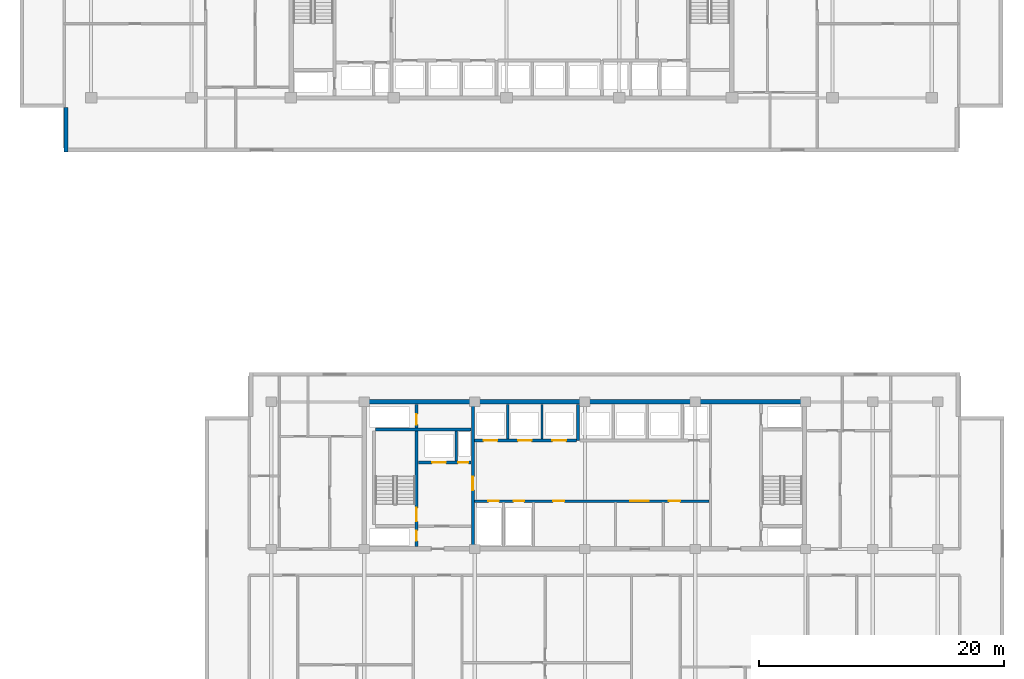
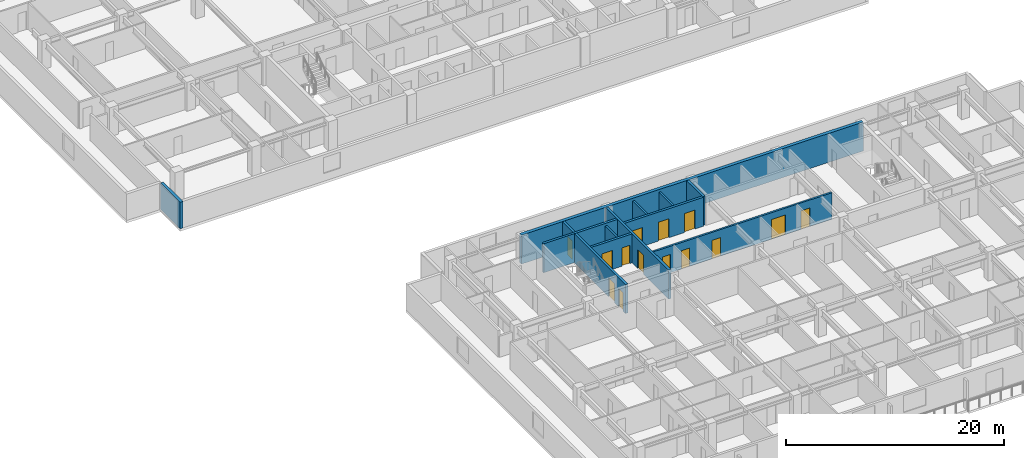
# One storey, part 7 of 22: 14 doors, 12 walls, 14 openings.
"""IFC4 building model written with IfcOpenShell, lengths in metres."""

from ifc_helpers import new_model, si_unit, direction, frame, frame_2d, origin, place, context, subcontext, project, spatial, rectangle, extrude, material, layer, layer_set, type_object, element, fill, save


model = new_model("IFC4")

# Units and contexts
model_context = context("Model", 3, precision=1e-05, world=origin(), true_north=direction((0.0, 1.0)))
body_context = subcontext(model_context, "Body", "Model", "MODEL_VIEW")
ifc_project = project(units=[si_unit("LENGTHUNIT", "METRE"), si_unit("AREAUNIT", "SQUARE_METRE"), si_unit("VOLUMEUNIT", "CUBIC_METRE"), si_unit("PLANEANGLEUNIT", "RADIAN"), si_unit("MASSUNIT", "GRAM", prefix="KILO")], contexts=[model_context])

# Site, building, storey
site_placement = place(None, origin())
site = spatial("IfcSite", under=ifc_project, at=site_placement, CompositionType="ELEMENT")
building_placement = place(site_placement, origin())
building = spatial("IfcBuilding", under=site, at=building_placement, Name="Korimba Cascade Residences", CompositionType="ELEMENT")
storey_placement = place(building_placement, frame((0.0, 0.0, 84.050048828125)))
storey = spatial("IfcBuildingStorey", under=building, at=storey_placement, Name="L23", CompositionType="ELEMENT", Elevation=84.050048828125)

# Walls
ifc_material_1 = material(Name="Precast concrete C40/50", Category="concrete")
ifc_layer_1 = layer(ifc_material_1, 0.300048828125)
ifc_layer_set_1 = layer_set([ifc_layer_1], Name="Precast concrete C40/50")
wall_type_1 = type_object("IfcWallType", Name="EW-STONE-300", PredefinedType="STANDARD", material=ifc_layer_set_1)
wall_1_placement = place(storey_placement, frame((57.75, 54.39990234375, 0.0), z_axis=(0.0, 0.0, 1.0), x_axis=(0.0, -1.0, 0.0)))
element("IfcWall", 1, at=wall_1_placement, inside=storey, type_object=wall_type_1, Name="L23 T1 Perimeter Stone Wall E11", PredefinedType="STANDARD", context=body_context, shape_type="SweptSolid", body=[
    extrude(rectangle(XDim=3.599853515625, YDim=0.300048828125, at=frame_2d((1.7998046875, 0.0))), origin(), (0.0, 0.0, 1.0), 2.969970703125),
])
ifc_material_2 = material(Name="Concrete C65/80", Category="concrete")
ifc_layer_2 = layer(ifc_material_2, 0.35009765625)
ifc_layer_set_2 = layer_set([ifc_layer_2], Name="Concrete C65/80")
wall_type_2 = type_object("IfcWallType", Name="WAL-CORE-350", PredefinedType="SHEAR", material=ifc_layer_set_2)
wall_2_placement = place(storey_placement, frame((81.925048828125, 30.39990234375, 0.0), z_axis=(0.0, 0.0, 1.0), x_axis=(1.0, 0.0, 0.0)))
element("IfcWall", 2, at=wall_2_placement, inside=storey, type_object=wall_type_2, Name="L23 Core Shear Wall CW-L23-T2-N", PredefinedType="SHEAR", context=body_context, shape_type="SweptSolid", body=[
    extrude(rectangle(XDim=36.264892578125, YDim=0.35009765625, at=frame_2d((18.13232421875, 0.0))), origin(), (0.0, 0.0, 1.0), 3.25),
])
ifc_material_3 = material(Name="Concrete C40/50", Category="concrete")
ifc_layer_3 = layer(ifc_material_3, 0.199951171875)
ifc_layer_set_3 = layer_set([ifc_layer_3], Name="Concrete C40/50")
wall_type_3 = type_object("IfcWallType", Name="WAL-PART-200", PredefinedType="PARTITIONING", material=ifc_layer_set_3)
wall_3_placement = place(storey_placement, frame((89.60009765625, 25.580078125, 0.0), z_axis=(0.0, 0.0, 1.0), x_axis=(0.0, 1.0, 0.0)))
element("IfcWall", 3, at=wall_3_placement, inside=storey, type_object=wall_type_3, Name="L23 Partition Wall CW-L23-T2-FFLDIV", PredefinedType="PARTITIONING", context=body_context, shape_type="SweptSolid", body=[
    extrude(rectangle(XDim=2.419921875, YDim=0.199951171875, at=frame_2d((1.2099609375, 0.0))), origin(), (0.0, 0.0, 1.0), 2.969970703125),
])
for number, where, z_axis, x_axis, name in (
    (4, (93.800048828125, 27.3798828125, 0.0), (0.0, 0.0, 1.0), (0.0, 1.0, 0.0), "L23 Partition Wall CW-L23-T2-B1D1"),
    (5, (96.60009765625, 27.3798828125, 0.0), (0.0, 0.0, 1.0), (0.0, 1.0, 0.0), "L23 Partition Wall CW-L23-T2-B1D2"),
):
    element("IfcWall", number, at=place(storey_placement, frame(where, z_axis=z_axis, x_axis=x_axis)), inside=storey, type_object=wall_type_3, Name=name, PredefinedType="PARTITIONING", context=body_context, shape_type="SweptSolid", body=[
        extrude(rectangle(XDim=2.820068359375, YDim=0.199951171875, at=frame_2d((1.41015625, 0.0))), origin(), (0.0, 0.0, 1.0), 2.969970703125),
    ])

# Wall, openings, doors
wall_4_placement = place(storey_placement, frame((91.080078125, 22.300048828125, 0.0), z_axis=(0.0, 0.0, 1.0), x_axis=(1.0, 0.0, 0.0)))
wall_4 = element("IfcWall", 6, at=wall_4_placement, inside=storey, type_object=wall_type_3, Name="L23 Partition Wall CW-L23-T2-SRVROW", PredefinedType="PARTITIONING", context=body_context, shape_type="SweptSolid", body=[
    extrude(rectangle(XDim=19.139892578125, YDim=0.199951171875, at=frame_2d((9.56982421875, 0.0))), origin(), (0.0, 0.0, 1.0), 2.969970703125),
])
opening_1_placement = place(wall_4_placement, frame((1.14990234375, 0.0, 0.0)))
opening_1 = element("IfcOpeningElement", 7, at=opening_1_placement, cuts=wall_4, Name="Opening D-RS1", PredefinedType="OPENING", context=body_context, shape_type="SweptSolid", body=[
    extrude(rectangle(XDim=0.85009765625, YDim=2.050048828125, at=frame_2d((0.425048828125, 1.02490234375))), frame((0.0, 0.10986328125, 0.0), z_axis=(0.0, -1.0, 0.0), x_axis=(1.0, 0.0, 0.0)), (0.0, 0.0, 1.0), 0.219970703125),
])
opening_2_placement = place(wall_4_placement, frame((3.199951171875, 0.0, 0.0)))
opening_2 = element("IfcOpeningElement", 8, at=opening_2_placement, cuts=wall_4, Name="Opening D-RS1", PredefinedType="OPENING", context=body_context, shape_type="SweptSolid", body=[
    extrude(rectangle(XDim=0.85009765625, YDim=2.050048828125, at=frame_2d((0.425048828125, 1.02490234375))), frame((0.0, 0.10986328125, 0.0), z_axis=(0.0, -1.0, 0.0), x_axis=(1.0, 0.0, 0.0)), (0.0, 0.0, 1.0), 0.219970703125),
])
opening_3_placement = place(wall_4_placement, frame((12.719970703125, 0.0, 0.0)))
opening_3 = element("IfcOpeningElement", 9, at=opening_3_placement, cuts=wall_4, Name="Opening D-FD8", PredefinedType="OPENING", context=body_context, shape_type="SweptSolid", body=[
    extrude(rectangle(XDim=1.5, YDim=2.199951171875, at=frame_2d((0.75, 1.10009765625))), frame((0.0, 0.10986328125, 0.0), z_axis=(0.0, -1.0, 0.0), x_axis=(1.0, 0.0, 0.0)), (0.0, 0.0, 1.0), 0.219970703125),
])
opening_4_placement = place(wall_4_placement, frame((6.419921875, 0.0, 0.0)))
opening_4 = element("IfcOpeningElement", 10, at=opening_4_placement, cuts=wall_4, Name="Opening D-IN1", PredefinedType="OPENING", context=body_context, shape_type="SweptSolid", body=[
    extrude(rectangle(XDim=0.919921875, YDim=2.080078125, at=frame_2d((0.4599609375, 1.0400390625))), frame((0.0, 0.10986328125, 0.0), z_axis=(0.0, -1.0, 0.0), x_axis=(1.0, 0.0, 0.0)), (0.0, 0.0, 1.0), 0.219970703125),
])
opening_5_placement = place(wall_4_placement, frame((15.8701171875, 0.0, 0.0)))
opening_5 = element("IfcOpeningElement", 11, at=opening_5_placement, cuts=wall_4, Name="Opening D-IN1", PredefinedType="OPENING", context=body_context, shape_type="SweptSolid", body=[
    extrude(rectangle(XDim=0.919921875, YDim=2.080078125, at=frame_2d((0.4599609375, 1.0400390625))), frame((0.0, 0.10986328125, 0.0), z_axis=(0.0, -1.0, 0.0), x_axis=(1.0, 0.0, 0.0)), (0.0, 0.0, 1.0), 0.219970703125),
])
ifc_material_4 = material(Name="Fire-Rated Steel Riser Access Door", Category="steel")
door_type_1 = type_object("IfcDoorType", Name="DR-FD60-850", OperationType="NOTDEFINED", PredefinedType="DOOR", material=ifc_material_4)
door_1_placement = place(opening_1_placement, origin())
door_1 = element("IfcDoor", 12, at=door_1_placement, inside=storey, type_object=door_type_1, Name="L23 T2 Electrical Riser Door", OperationType="SINGLE_SWING_RIGHT", OverallHeight=2.050048828125, OverallWidth=0.85009765625, PredefinedType="DOOR", context=body_context, shape_type="SweptSolid", body=[
    extrude(rectangle(XDim=0.85009765625, YDim=2.050048828125, at=frame_2d((0.425048828125, 1.02490234375))), frame((0.0, 0.02490234375, 0.0), z_axis=(0.0, -1.0, 0.0), x_axis=(1.0, 0.0, 0.0)), (0.0, 0.0, 1.0), 0.050048828125),
])
fill(opening_1, door_1)
door_2_placement = place(opening_2_placement, origin())
door_2 = element("IfcDoor", 13, at=door_2_placement, inside=storey, type_object=door_type_1, Name="L23 T2 Plumbing Riser Door", OperationType="SINGLE_SWING_LEFT", OverallHeight=2.050048828125, OverallWidth=0.85009765625, PredefinedType="DOOR", context=body_context, shape_type="SweptSolid", body=[
    extrude(rectangle(XDim=0.85009765625, YDim=2.050048828125, at=frame_2d((0.425048828125, 1.02490234375))), frame((0.0, 0.02490234375, 0.0), z_axis=(0.0, -1.0, 0.0), x_axis=(1.0, 0.0, 0.0)), (0.0, 0.0, 1.0), 0.050048828125),
])
fill(opening_2, door_2)
ifc_material_5 = material(Name="Fire-Rated Glazed Lift Lobby Double Door", Category="glass")
door_type_2 = type_object("IfcDoorType", Name="DR-FD90-1500", OperationType="NOTDEFINED", PredefinedType="DOOR", material=ifc_material_5)
door_3_placement = place(opening_3_placement, origin())
door_3 = element("IfcDoor", 14, at=door_3_placement, inside=storey, type_object=door_type_2, Name="L23 T2 Lift Lobby Foyer Door", OperationType="DOUBLE_DOOR_SINGLE_SWING", OverallHeight=2.199951171875, OverallWidth=1.5, PredefinedType="DOOR", context=body_context, shape_type="SweptSolid", body=[
    extrude(rectangle(XDim=1.5, YDim=2.199951171875, at=frame_2d((0.75, 1.10009765625))), frame((0.0, 0.02490234375, 0.0), z_axis=(0.0, -1.0, 0.0), x_axis=(1.0, 0.0, 0.0)), (0.0, 0.0, 1.0), 0.050048828125),
])
fill(opening_3, door_3)
ifc_material_6 = material(Name="Acoustic Timber Living Door", Category="wood")
door_type_3 = type_object("IfcDoorType", Name="DR-INT-920", OperationType="NOTDEFINED", PredefinedType="DOOR", material=ifc_material_6)
door_4_placement = place(opening_4_placement, origin())
door_4 = element("IfcDoor", 15, at=door_4_placement, inside=storey, type_object=door_type_3, Name="L23 T2 Housekeeping Door", OperationType="SINGLE_SWING_RIGHT", OverallHeight=2.080078125, OverallWidth=0.919921875, PredefinedType="DOOR", context=body_context, shape_type="SweptSolid", body=[
    extrude(rectangle(XDim=0.919921875, YDim=2.080078125, at=frame_2d((0.4599609375, 1.0400390625))), frame((0.0, 0.02490234375, 0.0), z_axis=(0.0, -1.0, 0.0), x_axis=(1.0, 0.0, 0.0)), (0.0, 0.0, 1.0), 0.050048828125),
])
fill(opening_4, door_4)
door_5_placement = place(opening_5_placement, origin())
door_5 = element("IfcDoor", 16, at=door_5_placement, inside=storey, type_object=door_type_3, Name="L23 T2 Store Door", OperationType="SINGLE_SWING_LEFT", OverallHeight=2.080078125, OverallWidth=0.919921875, PredefinedType="DOOR", context=body_context, shape_type="SweptSolid", body=[
    extrude(rectangle(XDim=0.919921875, YDim=2.080078125, at=frame_2d((0.4599609375, 1.0400390625))), frame((0.0, 0.02490234375, 0.0), z_axis=(0.0, -1.0, 0.0), x_axis=(1.0, 0.0, 0.0)), (0.0, 0.0, 1.0), 0.050048828125),
])
fill(opening_5, door_5)

ifc_material_7 = material(Name="Concrete C50/60", Category="concrete")
ifc_layer_4 = layer(ifc_material_7, 0.25)
ifc_layer_set_4 = layer_set([ifc_layer_4], Name="Concrete C50/60")
wall_type_4 = type_object("IfcWallType", Name="WAL-SHAFT-250", PredefinedType="SHEAR", material=ifc_layer_set_4)
wall_5_placement = place(storey_placement, frame((86.364990234375, 18.60009765625, 0.0), z_axis=(0.0, 0.0, 1.0), x_axis=(0.0, 1.0, 0.0)))
wall_5 = element("IfcWall", 17, at=wall_5_placement, inside=storey, type_object=wall_type_4, Name="L23 Core Shear Wall CW-L23-T2-STE1E", PredefinedType="SHEAR", context=body_context, shape_type="SweptSolid", body=[
    extrude(rectangle(XDim=11.599853515625, YDim=0.25, at=frame_2d((5.7998046875, 0.0))), origin(), (0.0, 0.0, 1.0), 3.25),
])
opening_6_placement = place(wall_5_placement, frame((0.449951171875, 0.0, 0.0)))
opening_6 = element("IfcOpeningElement", 18, at=opening_6_placement, cuts=wall_5, Name="Opening D-RS1", PredefinedType="OPENING", context=body_context, shape_type="SweptSolid", body=[
    extrude(rectangle(XDim=0.85009765625, YDim=2.050048828125, at=frame_2d((0.425048828125, 1.02490234375))), frame((0.0, 0.135009765625, 0.0), z_axis=(0.0, -1.0, 0.0), x_axis=(1.0, 0.0, 0.0)), (0.0, 0.0, 1.0), 0.27001953125),
])
opening_7_placement = place(wall_5_placement, frame((2.050048828125, 0.0, 0.0)))
opening_7 = element("IfcOpeningElement", 19, at=opening_7_placement, cuts=wall_5, Name="Opening D-FD1", PredefinedType="OPENING", context=body_context, shape_type="SweptSolid", body=[
    extrude(rectangle(XDim=1.10009765625, YDim=2.10009765625, at=frame_2d((0.550048828125, 1.050048828125))), frame((0.0, 0.135009765625, 0.0), z_axis=(0.0, -1.0, 0.0), x_axis=(1.0, 0.0, 0.0)), (0.0, 0.0, 1.0), 0.27001953125),
])
opening_8_placement = place(wall_5_placement, frame((9.949951171875, 0.0, 0.0)))
opening_8 = element("IfcOpeningElement", 20, at=opening_8_placement, cuts=wall_5, Name="Opening D-RS1", PredefinedType="OPENING", context=body_context, shape_type="SweptSolid", body=[
    extrude(rectangle(XDim=0.85009765625, YDim=2.050048828125, at=frame_2d((0.425048828125, 1.02490234375))), frame((0.0, 0.135009765625, 0.0), z_axis=(0.0, -1.0, 0.0), x_axis=(1.0, 0.0, 0.0)), (0.0, 0.0, 1.0), 0.27001953125),
])
ifc_material_8 = material(Name="Fire-Rated Steel Core Door", Category="steel")
door_type_4 = type_object("IfcDoorType", Name="DR-FD120-1100", OperationType="NOTDEFINED", PredefinedType="DOOR", material=ifc_material_8)
door_6_placement = place(opening_7_placement, origin())
door_6 = element("IfcDoor", 21, at=door_6_placement, inside=storey, type_object=door_type_4, Name="L23 Fire Stair ST-E1 Door", OperationType="SINGLE_SWING_RIGHT", OverallHeight=2.10009765625, OverallWidth=1.10009765625, PredefinedType="DOOR", context=body_context, shape_type="SweptSolid", body=[
    extrude(rectangle(XDim=1.10009765625, YDim=2.10009765625, at=frame_2d((0.550048828125, 1.050048828125))), frame((0.0, 0.02490234375, 0.0), z_axis=(0.0, -1.0, 0.0), x_axis=(1.0, 0.0, 0.0)), (0.0, 0.0, 1.0), 0.050048828125),
])
fill(opening_7, door_6)
door_7_placement = place(opening_6_placement, origin())
door_7 = element("IfcDoor", 22, at=door_7_placement, inside=storey, type_object=door_type_1, Name="L23 T2 Hydrant Riser Door", OperationType="SINGLE_SWING_LEFT", OverallHeight=2.050048828125, OverallWidth=0.85009765625, PredefinedType="DOOR", context=body_context, shape_type="SweptSolid", body=[
    extrude(rectangle(XDim=0.85009765625, YDim=2.050048828125, at=frame_2d((0.425048828125, 1.02490234375))), frame((0.0, 0.02490234375, 0.0), z_axis=(0.0, -1.0, 0.0), x_axis=(1.0, 0.0, 0.0)), (0.0, 0.0, 1.0), 0.050048828125),
])
fill(opening_6, door_7)
door_8_placement = place(opening_8_placement, origin())
door_8 = element("IfcDoor", 23, at=door_8_placement, inside=storey, type_object=door_type_1, Name="L23 T2 Smoke Shaft Door", OperationType="SINGLE_SWING_LEFT", OverallHeight=2.050048828125, OverallWidth=0.85009765625, PredefinedType="DOOR", context=body_context, shape_type="SweptSolid", body=[
    extrude(rectangle(XDim=0.85009765625, YDim=2.050048828125, at=frame_2d((0.425048828125, 1.02490234375))), frame((0.0, 0.02490234375, 0.0), z_axis=(0.0, -1.0, 0.0), x_axis=(1.0, 0.0, 0.0)), (0.0, 0.0, 1.0), 0.050048828125),
])
fill(opening_8, door_8)

# Wall
wall_6_placement = place(storey_placement, frame((83.0, 28.125, 0.0), z_axis=(0.0, 0.0, 1.0), x_axis=(1.0, 0.0, 0.0)))
element("IfcWall", 24, at=wall_6_placement, inside=storey, type_object=wall_type_4, Name="L23 Core Shear Wall CW-L23-T2-STE1N", PredefinedType="SHEAR", context=body_context, shape_type="SweptSolid", body=[
    extrude(rectangle(XDim=7.820068359375, YDim=0.25, at=frame_2d((3.91015625, 0.0))), origin(), (0.0, 0.0, 1.0), 3.25),
])

# Wall, openings, doors
wall_7_placement = place(storey_placement, frame((86.5, 25.449951171875, 0.0), z_axis=(0.0, 0.0, 1.0), x_axis=(1.0, 0.0, 0.0)))
wall_7 = element("IfcWall", 25, at=wall_7_placement, inside=storey, type_object=wall_type_4, Name="L23 Core Shear Wall CW-L23-T2-FFLN", PredefinedType="SHEAR", context=body_context, shape_type="SweptSolid", body=[
    extrude(rectangle(XDim=4.320068359375, YDim=0.25, at=frame_2d((2.16015625, 0.0))), origin(), (0.0, 0.0, 1.0), 3.25),
])
opening_9_placement = place(wall_7_placement, frame((1.139892578125, 0.0, 0.0)))
opening_9 = element("IfcOpeningElement", 26, at=opening_9_placement, cuts=wall_7, Name="Opening LD-01", PredefinedType="OPENING", context=body_context, shape_type="SweptSolid", body=[
    extrude(rectangle(XDim=1.1201171875, YDim=2.1201171875, at=frame_2d((0.56005859375, 1.06005859375))), frame((0.0, 0.135009765625, 0.0), z_axis=(0.0, -1.0, 0.0), x_axis=(1.0, 0.0, 0.0)), (0.0, 0.0, 1.0), 0.27001953125),
])
opening_10_placement = place(wall_7_placement, frame((3.25, 0.0, 0.0)))
opening_10 = element("IfcOpeningElement", 27, at=opening_10_placement, cuts=wall_7, Name="Opening D-RS1", PredefinedType="OPENING", context=body_context, shape_type="SweptSolid", body=[
    extrude(rectangle(XDim=0.85009765625, YDim=2.050048828125, at=frame_2d((0.425048828125, 1.02490234375))), frame((0.0, 0.135009765625, 0.0), z_axis=(0.0, -1.0, 0.0), x_axis=(1.0, 0.0, 0.0)), (0.0, 0.0, 1.0), 0.27001953125),
])
door_9_placement = place(opening_10_placement, origin())
door_9 = element("IfcDoor", 28, at=door_9_placement, inside=storey, type_object=door_type_1, Name="L23 T2 Pressurisation Riser Door", OperationType="SINGLE_SWING_RIGHT", OverallHeight=2.050048828125, OverallWidth=0.85009765625, PredefinedType="DOOR", context=body_context, shape_type="SweptSolid", body=[
    extrude(rectangle(XDim=0.85009765625, YDim=2.050048828125, at=frame_2d((0.425048828125, 1.02490234375))), frame((0.0, 0.02490234375, 0.0), z_axis=(0.0, -1.0, 0.0), x_axis=(1.0, 0.0, 0.0)), (0.0, 0.0, 1.0), 0.050048828125),
])
fill(opening_10, door_9)
ifc_material_9 = material(Name="Stainless Steel Lift Landing Sliding Door", Category="steel")
door_type_5 = type_object("IfcDoorType", Name="DR-LIFT-1100", OperationType="NOTDEFINED", PredefinedType="DOOR", material=ifc_material_9)
door_10_placement = place(opening_9_placement, origin())
door_10 = element("IfcDoor", 29, at=door_10_placement, inside=storey, type_object=door_type_5, Name="L23 Firefighting Lift Landing Door FFL-E1", OperationType="SLIDING_TO_RIGHT", OverallHeight=2.1201171875, OverallWidth=1.1201171875, PredefinedType="DOOR", context=body_context, shape_type="SweptSolid", body=[
    extrude(rectangle(XDim=1.1201171875, YDim=2.1201171875, at=frame_2d((0.56005859375, 1.06005859375))), frame((0.0, 0.02490234375, 0.0), z_axis=(0.0, -1.0, 0.0), x_axis=(1.0, 0.0, 0.0)), (0.0, 0.0, 1.0), 0.050048828125),
])
fill(opening_9, door_10)

# Wall, opening, door
wall_8_placement = place(storey_placement, frame((90.949951171875, 18.60009765625, 0.0), z_axis=(0.0, 0.0, 1.0), x_axis=(0.0, 1.0, 0.0)))
wall_8 = element("IfcWall", 30, at=wall_8_placement, inside=storey, type_object=wall_type_4, Name="L23 Core Shear Wall CW-L23-T2-FFLE", PredefinedType="SHEAR", context=body_context, shape_type="SweptSolid", body=[
    extrude(rectangle(XDim=11.599853515625, YDim=0.25, at=frame_2d((5.7998046875, 0.0))), origin(), (0.0, 0.0, 1.0), 3.25),
])
opening_11_placement = place(wall_8_placement, frame((4.60009765625, 0.0, 0.0)))
opening_11 = element("IfcOpeningElement", 31, at=opening_11_placement, cuts=wall_8, Name="Opening D-FD1", PredefinedType="OPENING", context=body_context, shape_type="SweptSolid", body=[
    extrude(rectangle(XDim=1.10009765625, YDim=2.10009765625, at=frame_2d((0.550048828125, 1.050048828125))), frame((0.0, 0.135009765625, 0.0), z_axis=(0.0, -1.0, 0.0), x_axis=(1.0, 0.0, 0.0)), (0.0, 0.0, 1.0), 0.27001953125),
])
door_11_placement = place(opening_11_placement, origin())
door_11 = element("IfcDoor", 32, at=door_11_placement, inside=storey, type_object=door_type_4, Name="L23 T2 Firefighting Lobby to Lift Lobby Door", OperationType="SINGLE_SWING_RIGHT", OverallHeight=2.10009765625, OverallWidth=1.10009765625, PredefinedType="DOOR", context=body_context, shape_type="SweptSolid", body=[
    extrude(rectangle(XDim=1.10009765625, YDim=2.10009765625, at=frame_2d((0.550048828125, 1.050048828125))), frame((0.0, 0.02490234375, 0.0), z_axis=(0.0, -1.0, 0.0), x_axis=(1.0, 0.0, 0.0)), (0.0, 0.0, 1.0), 0.050048828125),
])
fill(opening_11, door_11)

# Wall, openings, doors
wall_9_placement = place(storey_placement, frame((91.080078125, 27.25, 0.0), z_axis=(0.0, 0.0, 1.0), x_axis=(1.0, 0.0, 0.0)))
wall_9 = element("IfcWall", 33, at=wall_9_placement, inside=storey, type_object=wall_type_4, Name="L23 Core Shear Wall CW-L23-T2-B1S", PredefinedType="SHEAR", context=body_context, shape_type="SweptSolid", body=[
    extrude(rectangle(XDim=8.33984375, YDim=0.25, at=frame_2d((4.169921875, 0.0))), origin(), (0.0, 0.0, 1.0), 3.25),
])
opening_12_placement = place(wall_9_placement, frame((0.760009765625, 0.0, 0.0)))
opening_12 = element("IfcOpeningElement", 34, at=opening_12_placement, cuts=wall_9, Name="Opening LD-01", PredefinedType="OPENING", context=body_context, shape_type="SweptSolid", body=[
    extrude(rectangle(XDim=1.1201171875, YDim=2.1201171875, at=frame_2d((0.56005859375, 1.06005859375))), frame((0.0, 0.135009765625, 0.0), z_axis=(0.0, -1.0, 0.0), x_axis=(1.0, 0.0, 0.0)), (0.0, 0.0, 1.0), 0.27001953125),
])
opening_13_placement = place(wall_9_placement, frame((3.56005859375, 0.0, 0.0)))
opening_13 = element("IfcOpeningElement", 35, at=opening_13_placement, cuts=wall_9, Name="Opening LD-01", PredefinedType="OPENING", context=body_context, shape_type="SweptSolid", body=[
    extrude(rectangle(XDim=1.1201171875, YDim=2.1201171875, at=frame_2d((0.56005859375, 1.06005859375))), frame((0.0, 0.135009765625, 0.0), z_axis=(0.0, -1.0, 0.0), x_axis=(1.0, 0.0, 0.0)), (0.0, 0.0, 1.0), 0.27001953125),
])
opening_14_placement = place(wall_9_placement, frame((6.360107421875, 0.0, 0.0)))
opening_14 = element("IfcOpeningElement", 36, at=opening_14_placement, cuts=wall_9, Name="Opening LD-01", PredefinedType="OPENING", context=body_context, shape_type="SweptSolid", body=[
    extrude(rectangle(XDim=1.1201171875, YDim=2.1201171875, at=frame_2d((0.56005859375, 1.06005859375))), frame((0.0, 0.135009765625, 0.0), z_axis=(0.0, -1.0, 0.0), x_axis=(1.0, 0.0, 0.0)), (0.0, 0.0, 1.0), 0.27001953125),
])
door_12_placement = place(opening_12_placement, origin())
door_12 = element("IfcDoor", 37, at=door_12_placement, inside=storey, type_object=door_type_5, Name="L23 Lift Landing Door PL-E1", OperationType="SLIDING_TO_LEFT", OverallHeight=2.1201171875, OverallWidth=1.1201171875, PredefinedType="DOOR", context=body_context, shape_type="SweptSolid", body=[
    extrude(rectangle(XDim=1.1201171875, YDim=2.1201171875, at=frame_2d((0.56005859375, 1.06005859375))), frame((0.0, 0.02490234375, 0.0), z_axis=(0.0, -1.0, 0.0), x_axis=(1.0, 0.0, 0.0)), (0.0, 0.0, 1.0), 0.050048828125),
])
fill(opening_12, door_12)
door_13_placement = place(opening_13_placement, origin())
door_13 = element("IfcDoor", 38, at=door_13_placement, inside=storey, type_object=door_type_5, Name="L23 Lift Landing Door PL-E2", OperationType="SLIDING_TO_LEFT", OverallHeight=2.1201171875, OverallWidth=1.1201171875, PredefinedType="DOOR", context=body_context, shape_type="SweptSolid", body=[
    extrude(rectangle(XDim=1.1201171875, YDim=2.1201171875, at=frame_2d((0.56005859375, 1.06005859375))), frame((0.0, 0.02490234375, 0.0), z_axis=(0.0, -1.0, 0.0), x_axis=(1.0, 0.0, 0.0)), (0.0, 0.0, 1.0), 0.050048828125),
])
fill(opening_13, door_13)
door_14_placement = place(opening_14_placement, origin())
door_14 = element("IfcDoor", 39, at=door_14_placement, inside=storey, type_object=door_type_5, Name="L23 Lift Landing Door PL-E3", OperationType="SLIDING_TO_LEFT", OverallHeight=2.1201171875, OverallWidth=1.1201171875, PredefinedType="DOOR", context=body_context, shape_type="SweptSolid", body=[
    extrude(rectangle(XDim=1.1201171875, YDim=2.1201171875, at=frame_2d((0.56005859375, 1.06005859375))), frame((0.0, 0.02490234375, 0.0), z_axis=(0.0, -1.0, 0.0), x_axis=(1.0, 0.0, 0.0)), (0.0, 0.0, 1.0), 0.050048828125),
])
fill(opening_14, door_14)

# Wall
wall_10_placement = place(storey_placement, frame((99.550048828125, 27.25, 0.0), z_axis=(0.0, 0.0, 1.0), x_axis=(0.0, 1.0, 0.0)))
element("IfcWall", 40, at=wall_10_placement, inside=storey, type_object=wall_type_4, Name="L23 Core Shear Wall CW-L23-T2-B12DIV", PredefinedType="SHEAR", context=body_context, shape_type="SweptSolid", body=[
    extrude(rectangle(XDim=2.949951171875, YDim=0.25, at=frame_2d((1.47509765625, 0.0))), origin(), (0.0, 0.0, 1.0), 3.25),
])

save(model, "model.ifc")
